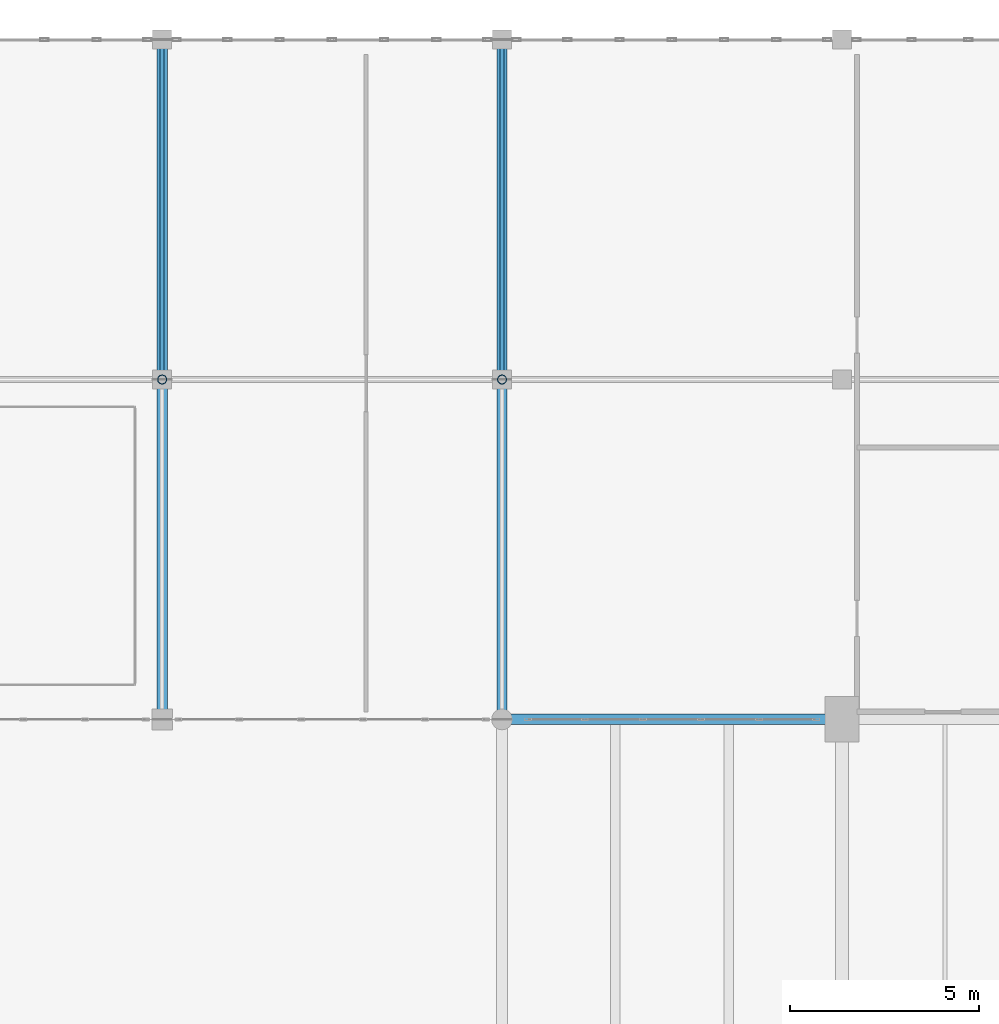
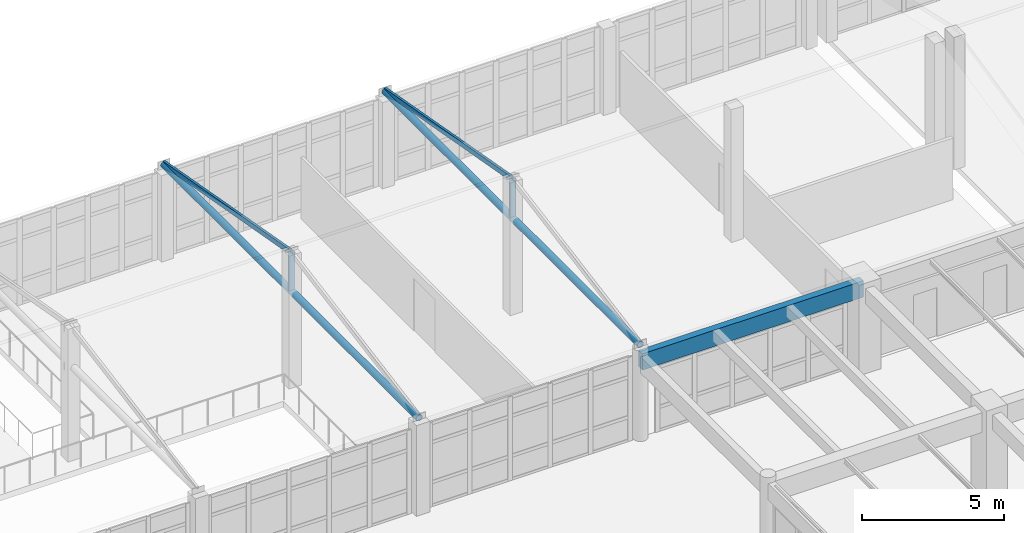
# One storey, part 66 of 156: 6 members, 1 beam.
"""IFC4 building model written with IfcOpenShell, lengths in metres."""

from ifc_helpers import new_model, si_unit, direction, frame, origin, origin_2d, place, context, subcontext, project, spatial, rectangle, hollow_rectangle, hollow_circle, extrude, material, material_profile, profile_set, type_object, element, save


model = new_model("IFC4")

# Units and contexts
model_context = context("Model", 3, precision=1e-05, world=origin(), true_north=direction((0.0, 1.0)))
body_context = subcontext(model_context, "Body", "Model", "MODEL_VIEW")
ifc_project = project(units=[si_unit("LENGTHUNIT", "METRE"), si_unit("AREAUNIT", "SQUARE_METRE"), si_unit("VOLUMEUNIT", "CUBIC_METRE"), si_unit("PLANEANGLEUNIT", "RADIAN"), si_unit("MASSUNIT", "GRAM", prefix="KILO")], contexts=[model_context])

# Site, building, storey
site_placement = place(None, origin())
site = spatial("IfcSite", under=ifc_project, at=site_placement, CompositionType="ELEMENT")
building_placement = place(site_placement, origin())
building = spatial("IfcBuilding", under=site, at=building_placement, Name="Ornek Quay Market", CompositionType="ELEMENT")
storey_placement = place(building_placement, frame((0.0, 0.0, 4.5)))
storey = spatial("IfcBuildingStorey", under=building, at=storey_placement, Name="L01", CompositionType="ELEMENT", Elevation=4.5)

# Beam
ifc_material_1 = material(Name="Concrete C35/45", Category="concrete")
ifc_material_profile_1 = material_profile(ifc_material_1, rectangle(XDim=0.280029296875, YDim=0.699951171875, at=origin_2d()), Name="RC 280x700", Category="concrete")
ifc_profile_set_1 = profile_set([ifc_material_profile_1], Name="Concrete C35/45")
beam_type = type_object("IfcBeamType", Name="BM-SPN-280x700", PredefinedType="SPANDREL", material=ifc_profile_set_1)
beam_placement = place(storey_placement, frame((108.0, 92.0, 3.31005859375), z_axis=(1.0, 0.0, 0.0), x_axis=(0.0, 1.0, 0.0)))
element("IfcBeam", 1, at=beam_placement, inside=storey, type_object=beam_type, Name="Primary beam B-SP2-071", PredefinedType="SPANDREL", context=body_context, shape_type="SweptSolid", body=[
    extrude(rectangle(XDim=0.280029296875, YDim=0.699951171875, at=origin_2d()), origin(), (0.0, 0.0, 1.0), 9.0),
])

# Members
ifc_material_2 = material(Name="Steel S355", Category="steel")
ifc_material_profile_2 = material_profile(ifc_material_2, hollow_circle(Radius=0.136474609375, WallThickness=0.012451171875, at=origin_2d()), Name="CHS 273x12.5", Category="steel")
ifc_profile_set_2 = profile_set([ifc_material_profile_2], Name="Steel S355")
member_type_1 = type_object("IfcMemberType", Name="MBR-CHD-CHS273", PredefinedType="CHORD", material=ifc_profile_set_2)
for number, where, z_axis, x_axis, name in (
    (2, (99.0, 92.0, 3.97998046875), (0.0, 1.0, 0.0), (-1.0, 0.0, 0.0), "Concourse skylight tie chord C-99"),
    (3, (108.0, 92.0, 3.97998046875), (0.0, 1.0, 0.0), (-1.0, 0.0, 0.0), "Concourse skylight tie chord C-108"),
):
    element("IfcMember", number, at=place(storey_placement, frame(where, z_axis=z_axis, x_axis=x_axis)), inside=storey, type_object=member_type_1, Name=name, PredefinedType="CHORD", context=body_context, shape_type="SweptSolid", body=[
        extrude(hollow_circle(Radius=0.136474609375, WallThickness=0.012451171875, at=origin_2d()), origin(), (0.0, 0.0, 1.0), 18.0),
    ])
ifc_material_profile_3 = material_profile(ifc_material_2, hollow_rectangle(XDim=0.10009765625, YDim=0.199951171875, WallThickness=0.008056640625, at=origin_2d()), Name="MBR-RAF-100x200", Category="steel")
ifc_profile_set_3 = profile_set([ifc_material_profile_3], Name="Steel S355")
member_type_2 = type_object("IfcMemberType", Name="MBR-RAF-100x200", PredefinedType="RAFTER", material=ifc_profile_set_3)
for number, where, z_axis, x_axis, name in (
    (4, (99.0, 101.0, 5.64990234375), (0.0, 0.984185744367, -0.177139551158), (-1.0, 0.0, 0.0), "Concourse skylight rafter C-99-N"),
    (5, (108.0, 101.0, 5.64990234375), (0.0, 0.984185744367, -0.177139551158), (-1.0, 0.0, 0.0), "Concourse skylight rafter C-108-N"),
):
    element("IfcMember", number, at=place(storey_placement, frame(where, z_axis=z_axis, x_axis=x_axis)), inside=storey, type_object=member_type_2, Name=name, PredefinedType="RAFTER", context=body_context, shape_type="SweptSolid", body=[
        extrude(hollow_rectangle(XDim=0.10009765625, YDim=0.199951171875, WallThickness=0.008056640625, at=origin_2d()), origin(), (0.0, 0.0, 1.0), 9.14453125),
    ])
ifc_material_profile_4 = material_profile(ifc_material_2, hollow_circle(Radius=0.122314453125, WallThickness=0.012451171875, at=origin_2d()), Name="CHS 244.5x12.5", Category="steel")
ifc_profile_set_4 = profile_set([ifc_material_profile_4], Name="Steel S355")
member_type_3 = type_object("IfcMemberType", Name="MBR-STR-CHS244", PredefinedType="STRUT", material=ifc_profile_set_4)
for number, where, z_axis, x_axis, name in (
    (6, (99.0, 101.0, 3.97998046875), (0.0, 0.0, 1.0), (1.0, 0.0, 0.0), "Concourse kingpost strut C-99"),
    (7, (108.0, 101.0, 3.97998046875), (0.0, 0.0, 1.0), (1.0, 0.0, 0.0), "Concourse kingpost strut C-108"),
):
    element("IfcMember", number, at=place(storey_placement, frame(where, z_axis=z_axis, x_axis=x_axis)), inside=storey, type_object=member_type_3, Name=name, PredefinedType="STRUT", context=body_context, shape_type="SweptSolid", body=[
        extrude(hollow_circle(Radius=0.122314453125, WallThickness=0.012451171875, at=origin_2d()), origin(), (0.0, 0.0, 1.0), 1.669921875),
    ])

save(model, "model.ifc")
